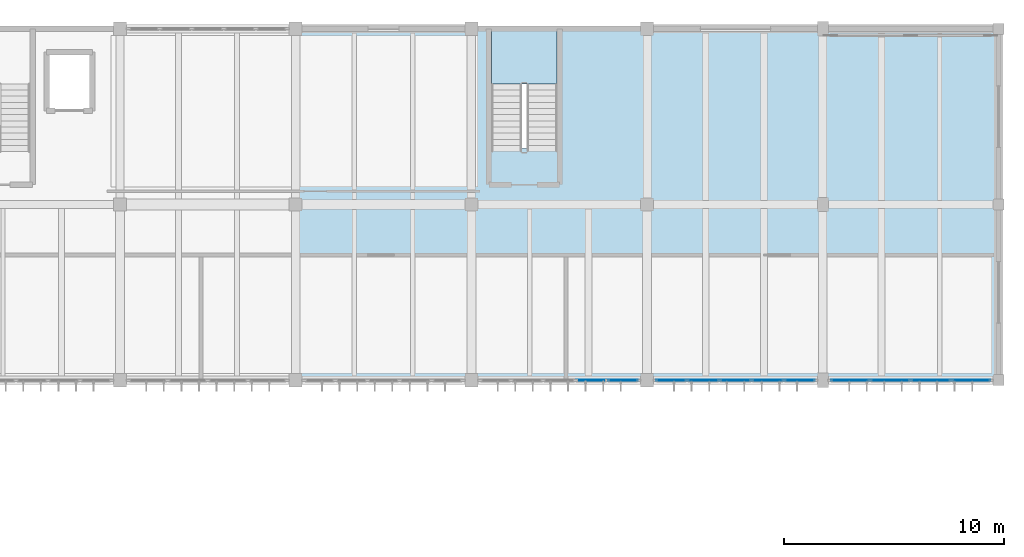
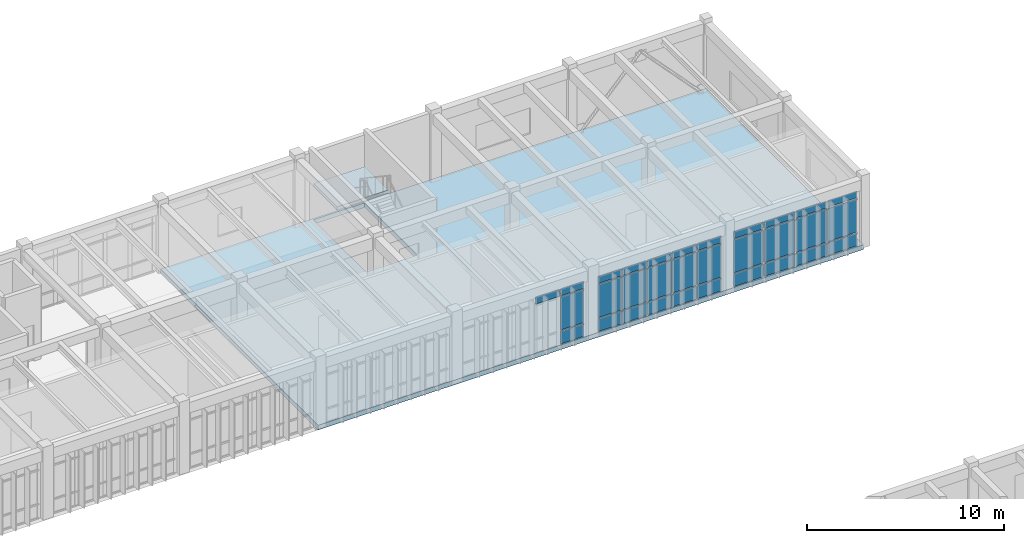
# One storey, part 45 of 79: 31 plates, 2 slabs, 4 elements without a shape of their own.
"""IFC4 building model written with IfcOpenShell, lengths in metres."""

from ifc_helpers import new_model, si_unit, direction, frame, origin, origin_2d, place, context, subcontext, project, spatial, polyline, rectangle, outline, extrude, material, layer, layer_set, type_object, element, aggregate, save


model = new_model("IFC4")

# Units and contexts
model_context = context("Model", 3, precision=1e-05, world=origin(), true_north=direction((0.0, 1.0)))
body_context = subcontext(model_context, "Body", "Model", "MODEL_VIEW")
ifc_project = project(units=[si_unit("LENGTHUNIT", "METRE"), si_unit("AREAUNIT", "SQUARE_METRE"), si_unit("VOLUMEUNIT", "CUBIC_METRE"), si_unit("PLANEANGLEUNIT", "RADIAN"), si_unit("MASSUNIT", "GRAM", prefix="KILO")], contexts=[model_context])

# Site, building, storey
site_placement = place(None, origin())
site = spatial("IfcSite", under=ifc_project, at=site_placement, CompositionType="ELEMENT")
building_placement = place(site_placement, origin())
building = spatial("IfcBuilding", under=site, at=building_placement, Name="Tlaxcora Railside Police Headquarters", CompositionType="ELEMENT")
storey_placement = place(building_placement, frame((0.0, 0.0, 9.0)))
storey = spatial("IfcBuildingStorey", under=building, at=storey_placement, Name="L02", CompositionType="ELEMENT", Elevation=9.0)

# Curtain wall, plates
ifc_material_1 = material(Name="Thermally broken low-E insulated glazing", Category="glass")
curtain_wall_type_1 = type_object("IfcCurtainWallType", Name="Unitised Curtain Wall Assembly CW-15", PredefinedType="NOTDEFINED", material=ifc_material_1)
curtain_wall_1_placement = place(storey_placement, origin())
curtain_wall_1 = element("IfcCurtainWall", 1, at=curtain_wall_1_placement, inside=storey, type_object=curtain_wall_type_1, Name="V6 L02 curtain wall 158", PredefinedType="NOTDEFINED")
ifc_layer_1 = layer(ifc_material_1, 0.031982421875, Name="Thermally broken low-E insulated glazing")
ifc_layer_set_1 = layer_set([ifc_layer_1], Name="Thermally broken low-E insulated glazing")
plate_type_1 = type_object("IfcPlateType", Name="Curtain Wall Infill Panel CW-41", PredefinedType="CURTAIN_PANEL", material=ifc_layer_set_1)
plate_1_placement = place(storey_placement, frame((143.90380859375, 76.800048828125, 0.074951171875), z_axis=(0.0, 0.0, 1.0), x_axis=(1.0, 0.0, 0.0)))
plate_1 = element("IfcPlate", 2, at=plate_1_placement, type_object=plate_type_1, Name="CW panel 1.1", PredefinedType="CURTAIN_PANEL", context=body_context, shape_type="SweptSolid", body=[
    extrude(rectangle(XDim=1.357421875, YDim=0.031982421875, at=origin_2d()), origin(), (0.0, 0.0, 1.0), 0.78759765625),
])
plate_2_placement = place(storey_placement, frame((143.90380859375, 76.800048828125, 0.9375), z_axis=(0.0, 0.0, 1.0), x_axis=(1.0, 0.0, 0.0)))
plate_2 = element("IfcPlate", 3, at=plate_2_placement, type_object=plate_type_1, Name="CW panel 1.2", PredefinedType="CURTAIN_PANEL", context=body_context, shape_type="SweptSolid", body=[
    extrude(rectangle(XDim=1.357421875, YDim=0.031982421875, at=origin_2d()), origin(), (0.0, 0.0, 1.0), 2.044921875),
])
plate_3_placement = place(storey_placement, frame((143.90380859375, 76.800048828125, 3.0576171875), z_axis=(0.0, 0.0, 1.0), x_axis=(1.0, 0.0, 0.0)))
plate_3 = element("IfcPlate", 4, at=plate_3_placement, type_object=plate_type_1, Name="CW panel 1.3", PredefinedType="CURTAIN_PANEL", context=body_context, shape_type="SweptSolid", body=[
    extrude(rectangle(XDim=1.357421875, YDim=0.031982421875, at=origin_2d()), origin(), (0.0, 0.0, 1.0), 0.41748046875),
])
plate_4_placement = place(storey_placement, frame((145.35498046875, 76.800048828125, 0.074951171875), z_axis=(0.0, 0.0, 1.0), x_axis=(1.0, 0.0, 0.0)))
plate_4 = element("IfcPlate", 5, at=plate_4_placement, type_object=plate_type_1, Name="CW panel 2.1", PredefinedType="CURTAIN_PANEL", context=body_context, shape_type="SweptSolid", body=[
    extrude(rectangle(XDim=1.39501953125, YDim=0.031982421875, at=origin_2d()), origin(), (0.0, 0.0, 1.0), 0.78759765625),
])
plate_5_placement = place(storey_placement, frame((145.35498046875, 76.800048828125, 0.9375), z_axis=(0.0, 0.0, 1.0), x_axis=(1.0, 0.0, 0.0)))
plate_5 = element("IfcPlate", 6, at=plate_5_placement, type_object=plate_type_1, Name="CW panel 2.2", PredefinedType="CURTAIN_PANEL", context=body_context, shape_type="SweptSolid", body=[
    extrude(rectangle(XDim=1.39501953125, YDim=0.031982421875, at=origin_2d()), origin(), (0.0, 0.0, 1.0), 2.044921875),
])
plate_6_placement = place(storey_placement, frame((145.35498046875, 76.800048828125, 3.0576171875), z_axis=(0.0, 0.0, 1.0), x_axis=(1.0, 0.0, 0.0)))
plate_6 = element("IfcPlate", 7, at=plate_6_placement, type_object=plate_type_1, Name="CW panel 2.3", PredefinedType="CURTAIN_PANEL", context=body_context, shape_type="SweptSolid", body=[
    extrude(rectangle(XDim=1.39501953125, YDim=0.031982421875, at=origin_2d()), origin(), (0.0, 0.0, 1.0), 0.41748046875),
])
plate_7_placement = place(storey_placement, frame((146.824951171875, 76.800048828125, 0.074951171875), z_axis=(0.0, 0.0, 1.0), x_axis=(1.0, 0.0, 0.0)))
plate_7 = element("IfcPlate", 8, at=plate_7_placement, type_object=plate_type_1, Name="CW panel 3.1", PredefinedType="CURTAIN_PANEL", context=body_context, shape_type="SweptSolid", body=[
    extrude(rectangle(XDim=1.39501953125, YDim=0.031982421875, at=origin_2d()), origin(), (0.0, 0.0, 1.0), 0.78759765625),
])
plate_8_placement = place(storey_placement, frame((146.824951171875, 76.800048828125, 0.9375), z_axis=(0.0, 0.0, 1.0), x_axis=(1.0, 0.0, 0.0)))
plate_8 = element("IfcPlate", 9, at=plate_8_placement, type_object=plate_type_1, Name="CW panel 3.2", PredefinedType="CURTAIN_PANEL", context=body_context, shape_type="SweptSolid", body=[
    extrude(rectangle(XDim=1.39501953125, YDim=0.031982421875, at=origin_2d()), origin(), (0.0, 0.0, 1.0), 2.044921875),
])
plate_9_placement = place(storey_placement, frame((146.824951171875, 76.800048828125, 3.0576171875), z_axis=(0.0, 0.0, 1.0), x_axis=(1.0, 0.0, 0.0)))
plate_9 = element("IfcPlate", 10, at=plate_9_placement, type_object=plate_type_1, Name="CW panel 3.3", PredefinedType="CURTAIN_PANEL", context=body_context, shape_type="SweptSolid", body=[
    extrude(rectangle(XDim=1.39501953125, YDim=0.031982421875, at=origin_2d()), origin(), (0.0, 0.0, 1.0), 0.41748046875),
])
plate_10_placement = place(storey_placement, frame((148.294921875, 76.800048828125, 0.074951171875), z_axis=(0.0, 0.0, 1.0), x_axis=(1.0, 0.0, 0.0)))
plate_10 = element("IfcPlate", 11, at=plate_10_placement, type_object=plate_type_1, Name="CW panel 4.1", PredefinedType="CURTAIN_PANEL", context=body_context, shape_type="SweptSolid", body=[
    extrude(rectangle(XDim=1.39501953125, YDim=0.031982421875, at=origin_2d()), origin(), (0.0, 0.0, 1.0), 0.78759765625),
])
plate_11_placement = place(storey_placement, frame((148.294921875, 76.800048828125, 0.9375), z_axis=(0.0, 0.0, 1.0), x_axis=(1.0, 0.0, 0.0)))
plate_11 = element("IfcPlate", 12, at=plate_11_placement, type_object=plate_type_1, Name="CW panel 4.2", PredefinedType="CURTAIN_PANEL", context=body_context, shape_type="SweptSolid", body=[
    extrude(rectangle(XDim=1.39501953125, YDim=0.031982421875, at=origin_2d()), origin(), (0.0, 0.0, 1.0), 2.044921875),
])
plate_12_placement = place(storey_placement, frame((148.294921875, 76.800048828125, 3.0576171875), z_axis=(0.0, 0.0, 1.0), x_axis=(1.0, 0.0, 0.0)))
plate_12 = element("IfcPlate", 13, at=plate_12_placement, type_object=plate_type_1, Name="CW panel 4.3", PredefinedType="CURTAIN_PANEL", context=body_context, shape_type="SweptSolid", body=[
    extrude(rectangle(XDim=1.39501953125, YDim=0.031982421875, at=origin_2d()), origin(), (0.0, 0.0, 1.0), 0.41748046875),
])
plate_13_placement = place(storey_placement, frame((149.746337890625, 76.800048828125, 0.074951171875), z_axis=(0.0, 0.0, 1.0), x_axis=(1.0, 0.0, 0.0)))
plate_13 = element("IfcPlate", 14, at=plate_13_placement, type_object=plate_type_1, Name="CW panel 5.1", PredefinedType="CURTAIN_PANEL", context=body_context, shape_type="SweptSolid", body=[
    extrude(rectangle(XDim=1.357421875, YDim=0.031982421875, at=origin_2d()), origin(), (0.0, 0.0, 1.0), 0.78759765625),
])
plate_14_placement = place(storey_placement, frame((149.746337890625, 76.800048828125, 0.9375), z_axis=(0.0, 0.0, 1.0), x_axis=(1.0, 0.0, 0.0)))
plate_14 = element("IfcPlate", 15, at=plate_14_placement, type_object=plate_type_1, Name="CW panel 5.2", PredefinedType="CURTAIN_PANEL", context=body_context, shape_type="SweptSolid", body=[
    extrude(rectangle(XDim=1.357421875, YDim=0.031982421875, at=origin_2d()), origin(), (0.0, 0.0, 1.0), 2.044921875),
])
plate_15_placement = place(storey_placement, frame((149.746337890625, 76.800048828125, 3.0576171875), z_axis=(0.0, 0.0, 1.0), x_axis=(1.0, 0.0, 0.0)))
plate_15 = element("IfcPlate", 16, at=plate_15_placement, type_object=plate_type_1, Name="CW panel 5.3", PredefinedType="CURTAIN_PANEL", context=body_context, shape_type="SweptSolid", body=[
    extrude(rectangle(XDim=1.357421875, YDim=0.031982421875, at=origin_2d()), origin(), (0.0, 0.0, 1.0), 0.41748046875),
])
aggregate(curtain_wall_1, [plate_1, plate_2, plate_3, plate_4, plate_5, plate_6, plate_7, plate_8, plate_9, plate_10, plate_11, plate_12, plate_13, plate_14, plate_15])

curtain_wall_type_2 = type_object("IfcCurtainWallType", Name="Unitised Curtain Wall Assembly CW-83", PredefinedType="NOTDEFINED", material=ifc_material_1)
curtain_wall_2_placement = place(storey_placement, origin())
curtain_wall_2 = element("IfcCurtainWall", 17, at=curtain_wall_2_placement, inside=storey, type_object=curtain_wall_type_2, Name="V6 L02 curtain wall 159", PredefinedType="NOTDEFINED")
ifc_layer_2 = layer(ifc_material_1, 0.035888671875, Name="Thermally broken low-E insulated glazing")
ifc_layer_set_2 = layer_set([ifc_layer_2], Name="Thermally broken low-E insulated glazing")
plate_type_2 = type_object("IfcPlateType", Name="Curtain Wall Infill Panel CW-72", PredefinedType="CURTAIN_PANEL", material=ifc_layer_set_2)
plate_16_placement = place(storey_placement, frame((152.044921875, 76.800048828125, 0.080078125), z_axis=(0.0, 0.0, 1.0), x_axis=(1.0, 0.0, 0.0)))
plate_16 = element("IfcPlate", 18, at=plate_16_placement, type_object=plate_type_2, Name="CW panel 1.1", PredefinedType="CURTAIN_PANEL", context=body_context, shape_type="SweptSolid", body=[
    extrude(rectangle(XDim=1.72998046875, YDim=0.035888671875, at=origin_2d()), origin(), (0.0, 0.0, 1.0), 0.780029296875),
])
plate_17_placement = place(storey_placement, frame((152.044921875, 76.800048828125, 0.93994140625), z_axis=(0.0, 0.0, 1.0), x_axis=(1.0, 0.0, 0.0)))
plate_17 = element("IfcPlate", 19, at=plate_17_placement, type_object=plate_type_2, Name="CW panel 1.2", PredefinedType="CURTAIN_PANEL", context=body_context, shape_type="SweptSolid", body=[
    extrude(rectangle(XDim=1.72998046875, YDim=0.035888671875, at=origin_2d()), origin(), (0.0, 0.0, 1.0), 2.0400390625),
])
plate_18_placement = place(storey_placement, frame((152.044921875, 76.800048828125, 3.06005859375), z_axis=(0.0, 0.0, 1.0), x_axis=(1.0, 0.0, 0.0)))
plate_18 = element("IfcPlate", 20, at=plate_18_placement, type_object=plate_type_2, Name="CW panel 1.3", PredefinedType="CURTAIN_PANEL", context=body_context, shape_type="SweptSolid", body=[
    extrude(rectangle(XDim=1.72998046875, YDim=0.035888671875, at=origin_2d()), origin(), (0.0, 0.0, 1.0), 0.409912109375),
])
plate_19_placement = place(storey_placement, frame((153.875, 76.800048828125, 0.080078125), z_axis=(0.0, 0.0, 1.0), x_axis=(1.0, 0.0, 0.0)))
plate_19 = element("IfcPlate", 21, at=plate_19_placement, type_object=plate_type_2, Name="CW panel 2.1", PredefinedType="CURTAIN_PANEL", context=body_context, shape_type="SweptSolid", body=[
    extrude(rectangle(XDim=1.77001953125, YDim=0.035888671875, at=origin_2d()), origin(), (0.0, 0.0, 1.0), 0.780029296875),
])
plate_20_placement = place(storey_placement, frame((153.875, 76.800048828125, 0.93994140625), z_axis=(0.0, 0.0, 1.0), x_axis=(1.0, 0.0, 0.0)))
plate_20 = element("IfcPlate", 22, at=plate_20_placement, type_object=plate_type_2, Name="CW panel 2.2", PredefinedType="CURTAIN_PANEL", context=body_context, shape_type="SweptSolid", body=[
    extrude(rectangle(XDim=1.77001953125, YDim=0.035888671875, at=origin_2d()), origin(), (0.0, 0.0, 1.0), 2.0400390625),
])
plate_21_placement = place(storey_placement, frame((153.875, 76.800048828125, 3.06005859375), z_axis=(0.0, 0.0, 1.0), x_axis=(1.0, 0.0, 0.0)))
plate_21 = element("IfcPlate", 23, at=plate_21_placement, type_object=plate_type_2, Name="CW panel 2.3", PredefinedType="CURTAIN_PANEL", context=body_context, shape_type="SweptSolid", body=[
    extrude(rectangle(XDim=1.77001953125, YDim=0.035888671875, at=origin_2d()), origin(), (0.0, 0.0, 1.0), 0.409912109375),
])
plate_22_placement = place(storey_placement, frame((155.72509765625, 76.800048828125, 0.080078125), z_axis=(0.0, 0.0, 1.0), x_axis=(1.0, 0.0, 0.0)))
plate_22 = element("IfcPlate", 24, at=plate_22_placement, type_object=plate_type_2, Name="CW panel 3.1", PredefinedType="CURTAIN_PANEL", context=body_context, shape_type="SweptSolid", body=[
    extrude(rectangle(XDim=1.77001953125, YDim=0.035888671875, at=origin_2d()), origin(), (0.0, 0.0, 1.0), 0.780029296875),
])
plate_23_placement = place(storey_placement, frame((155.72509765625, 76.800048828125, 0.93994140625), z_axis=(0.0, 0.0, 1.0), x_axis=(1.0, 0.0, 0.0)))
plate_23 = element("IfcPlate", 25, at=plate_23_placement, type_object=plate_type_2, Name="CW panel 3.2", PredefinedType="CURTAIN_PANEL", context=body_context, shape_type="SweptSolid", body=[
    extrude(rectangle(XDim=1.77001953125, YDim=0.035888671875, at=origin_2d()), origin(), (0.0, 0.0, 1.0), 2.0400390625),
])
plate_24_placement = place(storey_placement, frame((155.72509765625, 76.800048828125, 3.06005859375), z_axis=(0.0, 0.0, 1.0), x_axis=(1.0, 0.0, 0.0)))
plate_24 = element("IfcPlate", 26, at=plate_24_placement, type_object=plate_type_2, Name="CW panel 3.3", PredefinedType="CURTAIN_PANEL", context=body_context, shape_type="SweptSolid", body=[
    extrude(rectangle(XDim=1.77001953125, YDim=0.035888671875, at=origin_2d()), origin(), (0.0, 0.0, 1.0), 0.409912109375),
])
plate_25_placement = place(storey_placement, frame((157.554931640625, 76.800048828125, 0.080078125), z_axis=(0.0, 0.0, 1.0), x_axis=(1.0, 0.0, 0.0)))
plate_25 = element("IfcPlate", 27, at=plate_25_placement, type_object=plate_type_2, Name="CW panel 4.1", PredefinedType="CURTAIN_PANEL", context=body_context, shape_type="SweptSolid", body=[
    extrude(rectangle(XDim=1.72998046875, YDim=0.035888671875, at=origin_2d()), origin(), (0.0, 0.0, 1.0), 0.780029296875),
])
plate_26_placement = place(storey_placement, frame((157.554931640625, 76.800048828125, 0.93994140625), z_axis=(0.0, 0.0, 1.0), x_axis=(1.0, 0.0, 0.0)))
plate_26 = element("IfcPlate", 28, at=plate_26_placement, type_object=plate_type_2, Name="CW panel 4.2", PredefinedType="CURTAIN_PANEL", context=body_context, shape_type="SweptSolid", body=[
    extrude(rectangle(XDim=1.72998046875, YDim=0.035888671875, at=origin_2d()), origin(), (0.0, 0.0, 1.0), 2.0400390625),
])
plate_27_placement = place(storey_placement, frame((157.554931640625, 76.800048828125, 3.06005859375), z_axis=(0.0, 0.0, 1.0), x_axis=(1.0, 0.0, 0.0)))
plate_27 = element("IfcPlate", 29, at=plate_27_placement, type_object=plate_type_2, Name="CW panel 4.3", PredefinedType="CURTAIN_PANEL", context=body_context, shape_type="SweptSolid", body=[
    extrude(rectangle(XDim=1.72998046875, YDim=0.035888671875, at=origin_2d()), origin(), (0.0, 0.0, 1.0), 0.409912109375),
])
aggregate(curtain_wall_2, [plate_16, plate_17, plate_18, plate_19, plate_20, plate_21, plate_22, plate_23, plate_24, plate_25, plate_26, plate_27])

curtain_wall_type_3 = type_object("IfcCurtainWallType", Name="Unitised Curtain Wall Assembly CW-38", PredefinedType="NOTDEFINED", material=ifc_material_1)
curtain_wall_3_placement = place(storey_placement, origin())
curtain_wall_3 = element("IfcCurtainWall", 30, at=curtain_wall_3_placement, inside=storey, type_object=curtain_wall_type_3, Name="V6 L02 curtain wall 157", PredefinedType="NOTDEFINED")
ifc_layer_3 = layer(ifc_material_1, 0.028076171875, Name="Thermally broken low-E insulated glazing")
ifc_layer_set_3 = layer_set([ifc_layer_3], Name="Thermally broken low-E insulated glazing")
plate_type_3 = type_object("IfcPlateType", Name="Curtain Wall Infill Panel CW-92", PredefinedType="CURTAIN_PANEL", material=ifc_layer_set_3)
plate_28_placement = place(storey_placement, frame((140.260009765625, 76.800048828125, 3.0576171875), z_axis=(0.0, 0.0, 1.0), x_axis=(1.0, 0.0, 0.0)))
plate_28 = element("IfcPlate", 31, at=plate_28_placement, type_object=plate_type_3, Name="CW panel 4.3", PredefinedType="CURTAIN_PANEL", context=body_context, shape_type="SweptSolid", body=[
    extrude(rectangle(XDim=1.385009765625, YDim=0.028076171875, at=origin_2d()), origin(), (0.0, 0.0, 1.0), 0.41748046875),
])
plate_29_placement = place(storey_placement, frame((141.701171875, 76.800048828125, 0.074951171875), z_axis=(0.0, 0.0, 1.0), x_axis=(1.0, 0.0, 0.0)))
plate_29 = element("IfcPlate", 32, at=plate_29_placement, type_object=plate_type_3, Name="CW panel 5.1", PredefinedType="CURTAIN_PANEL", context=body_context, shape_type="SweptSolid", body=[
    extrude(rectangle(XDim=1.347412109375, YDim=0.028076171875, at=origin_2d()), origin(), (0.0, 0.0, 1.0), 0.78759765625),
])
plate_30_placement = place(storey_placement, frame((141.701171875, 76.800048828125, 0.9375), z_axis=(0.0, 0.0, 1.0), x_axis=(1.0, 0.0, 0.0)))
plate_30 = element("IfcPlate", 33, at=plate_30_placement, type_object=plate_type_3, Name="CW panel 5.2", PredefinedType="CURTAIN_PANEL", context=body_context, shape_type="SweptSolid", body=[
    extrude(rectangle(XDim=1.347412109375, YDim=0.028076171875, at=origin_2d()), origin(), (0.0, 0.0, 1.0), 2.044921875),
])
plate_31_placement = place(storey_placement, frame((141.701171875, 76.800048828125, 3.0576171875), z_axis=(0.0, 0.0, 1.0), x_axis=(1.0, 0.0, 0.0)))
plate_31 = element("IfcPlate", 34, at=plate_31_placement, type_object=plate_type_3, Name="CW panel 5.3", PredefinedType="CURTAIN_PANEL", context=body_context, shape_type="SweptSolid", body=[
    extrude(rectangle(XDim=1.347412109375, YDim=0.028076171875, at=origin_2d()), origin(), (0.0, 0.0, 1.0), 0.41748046875),
])
aggregate(curtain_wall_3, [plate_28, plate_29, plate_30, plate_31])

# Stair, slab
ifc_material_2 = material(Name="Concrete C40/50", Category="concrete")
stair_type = type_object("IfcStairType", Name="Half-Turn Dog-Leg Stair ST-58", PredefinedType="HALF_TURN_STAIR", material=ifc_material_2)
stair_placement = place(storey_placement, origin())
stair = element("IfcStair", 35, at=stair_placement, inside=storey, type_object=stair_type, Name="L02 ST8", PredefinedType="HALF_TURN_STAIR")
ifc_material_3 = material(Name="Concrete C35/45", Category="concrete")
ifc_layer_4 = layer(ifc_material_3, 0.199951171875, Name="Concrete C35/45")
ifc_layer_set_4 = layer_set([ifc_layer_4], Name="Concrete C35/45")
slab_type_1 = type_object("IfcSlabType", Name="Stair Landing Slab SL-23", PredefinedType="LANDING", material=ifc_layer_set_4)
slab_1_placement = place(storey_placement, frame((0.0, 0.0, 2.050048828125)))
slab_1 = element("IfcSlab", 36, at=slab_1_placement, type_object=slab_type_1, Name="ST8 landing 1", PredefinedType="LANDING", context=body_context, shape_type="SweptSolid", body=[
    extrude(outline(polyline([(138.7099609375, 90.2900390625), (138.7099609375, 92.68994140625), (135.7099609375, 92.68994140625), (135.7099609375, 90.2900390625), (138.7099609375, 90.2900390625)])), origin(), (0.0, 0.0, 1.0), 0.199951171875),
])
aggregate(stair, [slab_1])

# Slab
ifc_layer_5 = layer(ifc_material_3, 0.2900390625, Name="Concrete C35/45")
ifc_layer_set_5 = layer_set([ifc_layer_5], Name="Concrete C35/45")
slab_type_2 = type_object("IfcSlabType", Name="Suspended Floor Slab SL-86", PredefinedType="FLOOR", material=ifc_layer_set_5)
slab_2_placement = place(storey_placement, frame((0.0, 0.0, -0.2900390625)))
element("IfcSlab", 37, at=slab_2_placement, inside=storey, type_object=slab_type_2, Name="V6 L02 floor slab zone 2", PredefinedType="FLOOR", context=body_context, shape_type="SweptSolid", body=[
    extrude(outline(polyline([(158.800048828125, 92.800048828125), (126.800048828125, 92.800048828125), (126.800048828125, 76.800048828125), (158.800048828125, 76.800048828125), (158.800048828125, 92.800048828125)]), holes=[polyline([(138.7099609375, 87.35009765625), (135.7099609375, 87.35009765625), (135.7099609375, 92.68994140625), (138.7099609375, 92.68994140625), (138.7099609375, 87.35009765625)])]), origin(), (0.0, 0.0, 1.0), 0.2900390625),
])

save(model, "model.ifc")
